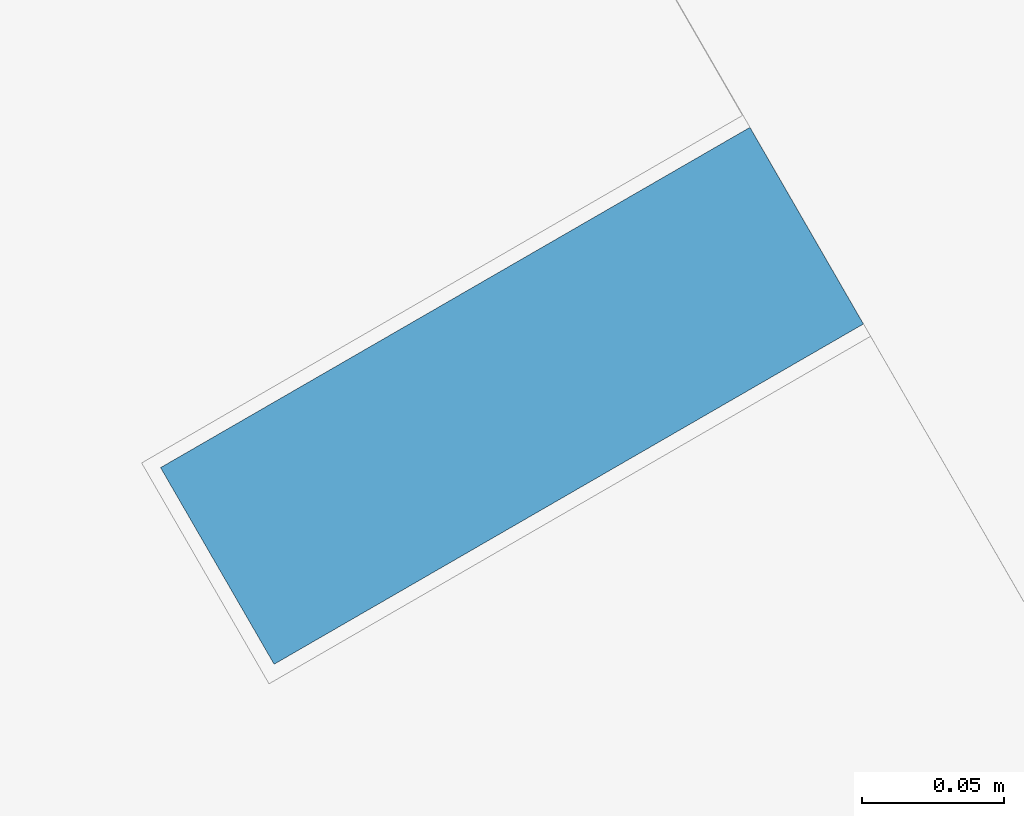
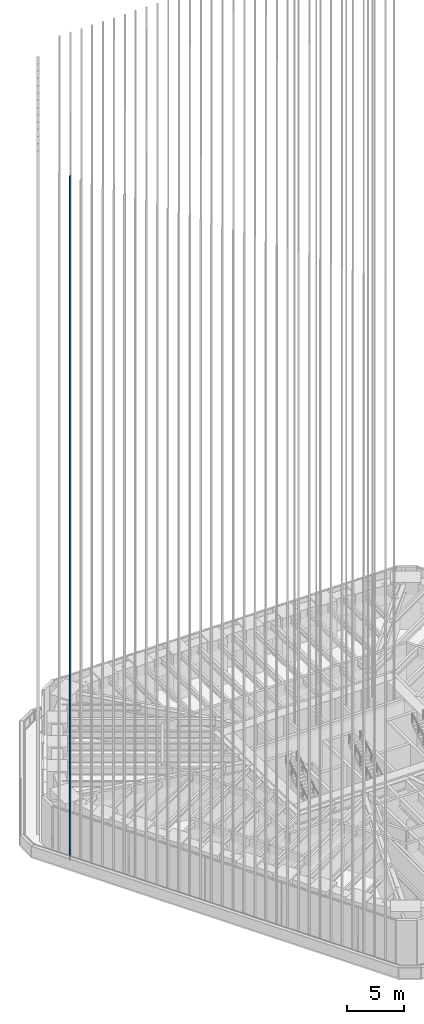
# One storey, part 65 of 228: 1 member, 1 element without a shape of its own.
"""IFC4 building model written with IfcOpenShell, lengths in metres."""

from ifc_helpers import new_model, si_unit, direction, frame, origin, origin_2d, place, context, subcontext, project, spatial, rectangle, extrude, material, material_profile, profile_set, type_object, element, aggregate, save


model = new_model("IFC4")

# Units and contexts
model_context = context("Model", 3, precision=1e-05, world=origin(), true_north=direction((0.0, 1.0)))
body_context = subcontext(model_context, "Body", "Model", "MODEL_VIEW")
ifc_project = project(units=[si_unit("LENGTHUNIT", "METRE"), si_unit("AREAUNIT", "SQUARE_METRE"), si_unit("VOLUMEUNIT", "CUBIC_METRE"), si_unit("PLANEANGLEUNIT", "RADIAN"), si_unit("MASSUNIT", "GRAM", prefix="KILO")], contexts=[model_context])

# Site, building, storey
site_placement = place(None, origin())
site = spatial("IfcSite", under=ifc_project, at=site_placement, CompositionType="ELEMENT")
building_placement = place(site_placement, origin())
building = spatial("IfcBuilding", under=site, at=building_placement, Name="Sandreach Pilgrim Tower", CompositionType="ELEMENT")
storey_placement = place(building_placement, frame((0.0, 0.0, 178.199951171875)))
storey = spatial("IfcBuildingStorey", under=building, at=storey_placement, Name="L44", CompositionType="ELEMENT", Elevation=178.199951171875)

# Curtain wall, member
ifc_material_1 = material(Name="Aluminium framed curtain wall", Category="aluminium")
curtain_wall_type = type_object("IfcCurtainWallType", Name="Upper hotel tower curtain wall", PredefinedType="NOTDEFINED", material=ifc_material_1)
curtain_wall_placement = place(storey_placement, origin())
curtain_wall = element("IfcCurtainWall", 1, at=curtain_wall_placement, inside=storey, type_object=curtain_wall_type, Name="CW-3 L44 SW", PredefinedType="NOTDEFINED")
ifc_material_2 = material(Name="Extruded terracotta on aluminium core", Category="masonry")
ifc_material_profile = material_profile(ifc_material_2, rectangle(XDim=0.080078125, YDim=0.239990234375, at=origin_2d()), Name="TBW 80X240")
ifc_profile_set = profile_set([ifc_material_profile], Name="Extruded terracotta on aluminium core")
member_type = type_object("IfcMemberType", Name="Terracotta baguette west", PredefinedType="USERDEFINED", material=ifc_profile_set)
member_placement = place(storey_placement, frame((-26.403076171875, 2.5712890625, 0.0), z_axis=(0.0, 0.0, 1.0), x_axis=(-0.5, 0.866025403784, 0.0)))
member = element("IfcMember", 2, at=member_placement, type_object=member_type, Name="Baguette Z3 SW30", ObjectType="BAGUETTE", PredefinedType="USERDEFINED", context=body_context, shape_type="SweptSolid", body=[
    extrude(rectangle(XDim=0.080078125, YDim=0.239990234375, at=origin_2d()), origin(), (0.0, 0.0, 1.0), 73.239990234375),
])
aggregate(curtain_wall, [member])

save(model, "model.ifc")
